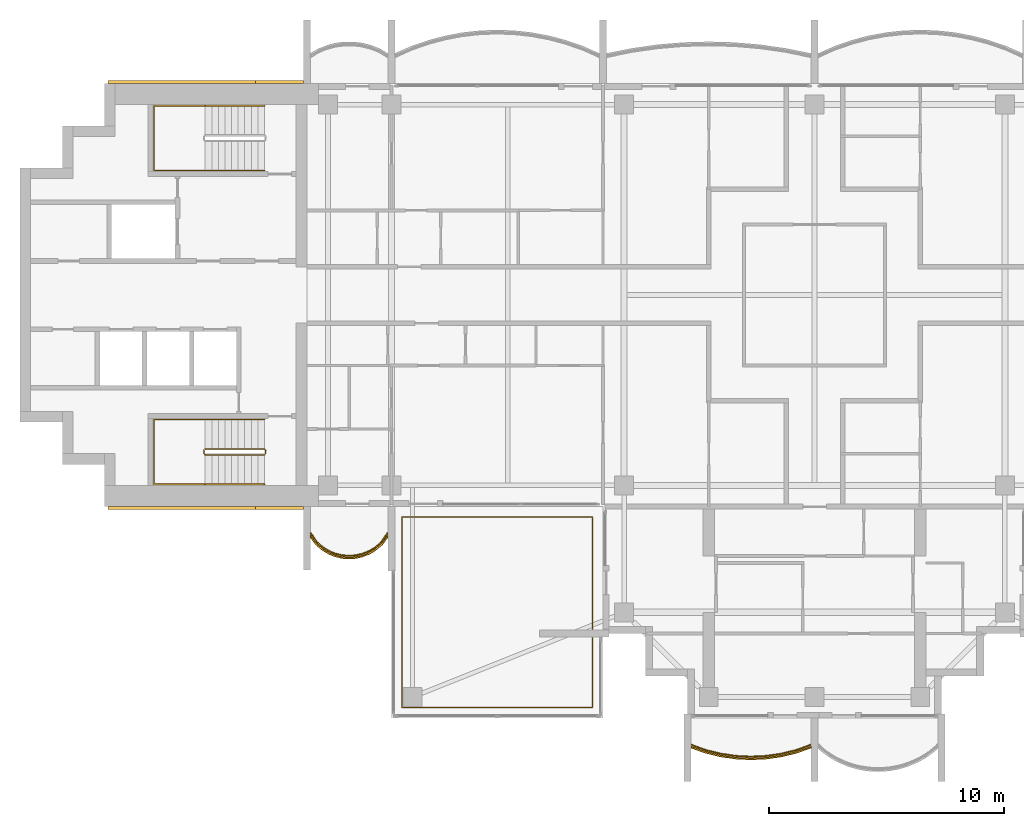
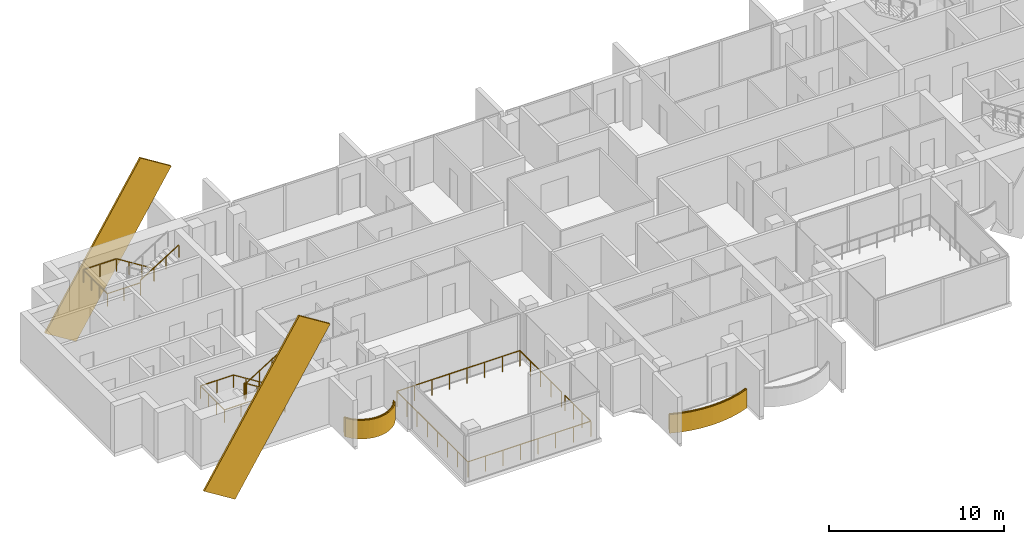
# One storey, part 13 of 16: 6 railings, 4 coverings.
"""IFC4 building model written with IfcOpenShell, lengths in metres."""

from ifc_helpers import new_model, si_unit, direction, frame, origin, origin_2d, place, context, subcontext, project, spatial, polyline, rectangle, outline, extrude, material, layer, layer_set, material_profile, profile_set, type_object, element, save


model = new_model("IFC4")

# Units and contexts
model_context = context("Model", 3, precision=1e-05, world=origin(), true_north=direction((0.0, 1.0)))
body_context = subcontext(model_context, "Body", "Model", "MODEL_VIEW")
ifc_project = project(units=[si_unit("LENGTHUNIT", "METRE"), si_unit("AREAUNIT", "SQUARE_METRE"), si_unit("VOLUMEUNIT", "CUBIC_METRE"), si_unit("PLANEANGLEUNIT", "RADIAN"), si_unit("MASSUNIT", "GRAM", prefix="KILO")], contexts=[model_context])

# Site, building, storey
site_placement = place(None, origin())
site = spatial("IfcSite", under=ifc_project, at=site_placement, CompositionType="ELEMENT")
building_placement = place(site_placement, origin())
building = spatial("IfcBuilding", under=site, at=building_placement, Name="Perihelion Cross Residences", CompositionType="ELEMENT")
storey_placement = place(building_placement, frame((0.0, 0.0, 271.0)))
storey = spatial("IfcBuildingStorey", under=building, at=storey_placement, Name="L69", CompositionType="ELEMENT", Elevation=271.0)

# Coverings
ifc_material_1 = material(Name="Bronze anodised aluminium", Category="aluminium")
ifc_layer = layer(ifc_material_1, 0.070068359375)
ifc_layer_set = layer_set([ifc_layer], Name="Balcony fascia 1300")
covering_type_1 = type_object("IfcCoveringType", Name="Balcony fascia 1300", PredefinedType="CLADDING", material=ifc_layer_set)
covering_1_placement = place(storey_placement, frame((0.0, 0.0, -0.199951171875)))
element("IfcCovering", 1, at=covering_1_placement, inside=storey, type_object=covering_type_1, Name="Fascia BF1 L69 west side south bay 1", PredefinedType="CLADDING", context=body_context, shape_type="SweptSolid", body=[
    extrude(outline(polyline([(-21.226318359375, -10.616455078125), (-20.94091796875, -10.86328125), (-20.655517578125, -11.031494140625), (-20.370361328125, -11.142578125), (-20.085205078125, -11.206298828125), (-19.800048828125, -11.22705078125), (-19.514892578125, -11.206298828125), (-19.229736328125, -11.142578125), (-18.9443359375, -11.031494140625), (-18.6591796875, -10.86328125), (-18.373779296875, -10.616455078125), (-18.14990234375, -10.31689453125), (-18.14990234375, -10.199951171875), (-18.425048828125, -10.568603515625), (-18.699951171875, -10.806396484375), (-18.97509765625, -10.96875), (-19.25, -11.07568359375), (-19.52490234375, -11.136962890625), (-19.800048828125, -11.156982421875), (-20.074951171875, -11.136962890625), (-20.35009765625, -11.07568359375), (-20.625, -10.96875), (-20.89990234375, -10.806396484375), (-21.175048828125, -10.568603515625), (-21.449951171875, -10.199951171875), (-21.449951171875, -10.31689453125), (-21.226318359375, -10.616455078125)])), origin(), (0.0, 0.0, 1.0), 1.300048828125),
])
covering_2_placement = place(storey_placement, frame((0.0, 0.0, -0.199951171875)))
element("IfcCovering", 2, at=covering_2_placement, inside=storey, type_object=covering_type_1, Name="Fascia BF1 L69 south tip south bay 1", PredefinedType="CLADDING", context=body_context, shape_type="SweptSolid", body=[
    extrude(outline(polyline([(-4.63232421875, -19.49072265625), (-3.98828125, -19.647216796875), (-3.34423828125, -19.739501953125), (-2.699951171875, -19.77001953125), (-2.055908203125, -19.739501953125), (-1.411865234375, -19.647216796875), (-0.767578125, -19.49072265625), (-0.14990234375, -19.274169921875), (-0.14990234375, -19.199951171875), (-0.78759765625, -19.423583984375), (-1.425048828125, -19.57861328125), (-2.0625, -19.669921875), (-2.699951171875, -19.699951171875), (-3.33740234375, -19.669921875), (-3.97509765625, -19.57861328125), (-4.612548828125, -19.423583984375), (-5.25, -19.199951171875), (-5.25, -19.274169921875), (-4.63232421875, -19.49072265625)])), origin(), (0.0, 0.0, 1.0), 1.300048828125),
])

# Railings
ifc_material_2 = material(Name="Bronze anodised aluminium", Category="aluminium")
railing_type_1 = type_object("IfcRailingType", Name="Balcony guard 1100", PredefinedType="GUARDRAIL", material=ifc_material_2)
railing_1_placement = place(storey_placement, frame((-21.425048828125, -10.139892578125, 0.0)))
element("IfcRailing", 3, at=railing_1_placement, inside=storey, type_object=railing_type_1, Name="Guard GU1 L69 west side south bay 1 balcony", PredefinedType="GUARDRAIL", context=body_context, shape_type="SweptSolid", body=[
    extrude(rectangle(XDim=0.048095703125, YDim=0.048095703125, at=origin_2d()), frame((0.0, 0.0, 1.076171875), z_axis=(0.561260132269, -0.827639452857, 0.0), x_axis=(0.827639452857, 0.561260132269, 0.0)), (0.0, 0.0, 1.0), 0.4453125),
    extrude(rectangle(XDim=0.048095703125, YDim=0.048095703125, at=origin_2d()), frame((0.25, -0.36865234375, 1.076171875), z_axis=(0.756596535164, -0.653882009982, 0.0), x_axis=(0.653882009982, 0.756596535164, 0.0)), (0.0, 0.0, 1.0), 0.36376953125),
    extrude(rectangle(XDim=0.048095703125, YDim=0.048095703125, at=origin_2d()), frame((0.525146484375, -0.6064453125, 1.076171875), z_axis=(0.861048292884, -0.508523192511, 0.0), x_axis=(0.508523192511, 0.861048292884, 0.0)), (0.0, 0.0, 1.0), 0.3193359375),
    extrude(rectangle(XDim=0.048095703125, YDim=0.048095703125, at=origin_2d()), frame((0.800048828125, -0.768798828125, 1.076171875), z_axis=(0.931973602183, -0.362526143656, 0.0), x_axis=(0.362526143656, 0.931973602183, 0.0)), (0.0, 0.0, 1.0), 0.294921875),
    extrude(rectangle(XDim=0.048095703125, YDim=0.048095703125, at=origin_2d()), frame((1.074951171875, -0.875732421875, 1.076171875), z_axis=(0.976085059389, -0.21738895289, 0.0), x_axis=(0.21738895289, 0.976085059389, 0.0)), (0.0, 0.0, 1.0), 0.281982421875),
    extrude(rectangle(XDim=0.048095703125, YDim=0.048095703125, at=origin_2d()), frame((1.35009765625, -0.93701171875, 1.076171875), z_axis=(0.997358821833, -0.072631814734, 0.0), x_axis=(0.072631814734, 0.997358821833, 0.0)), (0.0, 0.0, 1.0), 0.275634765625),
    extrude(rectangle(XDim=0.048095703125, YDim=0.048095703125, at=origin_2d()), frame((1.625, -0.95703125, 1.076171875), z_axis=(0.997363488337, 0.072567707226, 0.0), x_axis=(-0.072567707226, 0.997363488337, 0.0)), (0.0, 0.0, 1.0), 0.27587890625),
    extrude(rectangle(XDim=0.048095703125, YDim=0.048095703125, at=origin_2d()), frame((1.900146484375, -0.93701171875, 1.076171875), z_axis=(0.976044077717, 0.217572880557, 0.0), x_axis=(-0.217572880557, 0.976044077717, 0.0)), (0.0, 0.0, 1.0), 0.28173828125),
    extrude(rectangle(XDim=0.048095703125, YDim=0.048095703125, at=origin_2d()), frame((2.175048828125, -0.875732421875, 1.076171875), z_axis=(0.931973602183, 0.362526143656, 0.0), x_axis=(-0.362526143656, 0.931973602183, 0.0)), (0.0, 0.0, 1.0), 0.294921875),
    extrude(rectangle(XDim=0.048095703125, YDim=0.048095703125, at=origin_2d()), frame((2.449951171875, -0.768798828125, 1.076171875), z_axis=(0.861245845072, 0.508188542123, 0.0), x_axis=(-0.508188542123, 0.861245845072, 0.0)), (0.0, 0.0, 1.0), 0.319580078125),
    extrude(rectangle(XDim=0.048095703125, YDim=0.048095703125, at=origin_2d()), frame((2.72509765625, -0.6064453125, 1.076171875), z_axis=(0.756309278473, 0.654214242658, 0.0), x_axis=(-0.654214242658, 0.756309278473, 0.0)), (0.0, 0.0, 1.0), 0.363525390625),
    extrude(rectangle(XDim=0.048095703125, YDim=0.048095703125, at=origin_2d()), frame((3.0, -0.36865234375, 1.076171875), z_axis=(0.561260132269, 0.827639452857, 0.0), x_axis=(-0.827639452857, 0.561260132269, 0.0)), (0.0, 0.0, 1.0), 0.4453125),
    extrude(rectangle(XDim=0.0419921875, YDim=0.0419921875, at=origin_2d()), origin(), (0.0, 0.0, 1.0), 1.052001953125),
    extrude(rectangle(XDim=0.0419921875, YDim=0.0419921875, at=origin_2d()), frame((0.25, -0.36865234375, 0.0)), (0.0, 0.0, 1.0), 1.052001953125),
    extrude(rectangle(XDim=0.0419921875, YDim=0.0419921875, at=origin_2d()), frame((0.525146484375, -0.6064453125, 0.0)), (0.0, 0.0, 1.0), 1.052001953125),
    extrude(rectangle(XDim=0.0419921875, YDim=0.0419921875, at=origin_2d()), frame((0.800048828125, -0.768798828125, 0.0)), (0.0, 0.0, 1.0), 1.052001953125),
    extrude(rectangle(XDim=0.0419921875, YDim=0.0419921875, at=origin_2d()), frame((1.074951171875, -0.875732421875, 0.0)), (0.0, 0.0, 1.0), 1.052001953125),
    extrude(rectangle(XDim=0.0419921875, YDim=0.0419921875, at=origin_2d()), frame((1.35009765625, -0.93701171875, 0.0)), (0.0, 0.0, 1.0), 1.052001953125),
    extrude(rectangle(XDim=0.0419921875, YDim=0.0419921875, at=origin_2d()), frame((1.625, -0.95703125, 0.0)), (0.0, 0.0, 1.0), 1.052001953125),
    extrude(rectangle(XDim=0.0419921875, YDim=0.0419921875, at=origin_2d()), frame((1.900146484375, -0.93701171875, 0.0)), (0.0, 0.0, 1.0), 1.052001953125),
    extrude(rectangle(XDim=0.0419921875, YDim=0.0419921875, at=origin_2d()), frame((2.175048828125, -0.875732421875, 0.0)), (0.0, 0.0, 1.0), 1.052001953125),
    extrude(rectangle(XDim=0.0419921875, YDim=0.0419921875, at=origin_2d()), frame((2.449951171875, -0.768798828125, 0.0)), (0.0, 0.0, 1.0), 1.052001953125),
    extrude(rectangle(XDim=0.0419921875, YDim=0.0419921875, at=origin_2d()), frame((2.72509765625, -0.6064453125, 0.0)), (0.0, 0.0, 1.0), 1.052001953125),
    extrude(rectangle(XDim=0.0419921875, YDim=0.0419921875, at=origin_2d()), frame((3.0, -0.36865234375, 0.0)), (0.0, 0.0, 1.0), 1.052001953125),
    extrude(rectangle(XDim=0.0419921875, YDim=0.0419921875, at=origin_2d()), frame((3.25, 0.0, 0.0)), (0.0, 0.0, 1.0), 1.052001953125),
])
railing_2_placement = place(storey_placement, frame((-5.22509765625, -19.139892578125, 0.0)))
element("IfcRailing", 4, at=railing_2_placement, inside=storey, type_object=railing_type_1, Name="Guard GU1 L69 south tip south bay 1 balcony", PredefinedType="GUARDRAIL", context=body_context, shape_type="SweptSolid", body=[
    extrude(rectangle(XDim=0.048095703125, YDim=0.048095703125, at=origin_2d()), frame((0.0, 0.0, 1.076171875), z_axis=(0.939355405384, -0.342945217749, 0.0), x_axis=(0.342945217749, 0.939355405384, 0.0)), (0.0, 0.0, 1.0), 0.652099609375),
    extrude(rectangle(XDim=0.048095703125, YDim=0.048095703125, at=origin_2d()), frame((0.612548828125, -0.2236328125, 1.076171875), z_axis=(0.971676841941, -0.236313594268, 0.0), x_axis=(0.236313594268, 0.971676841941, 0.0)), (0.0, 0.0, 1.0), 0.656005859375),
    extrude(rectangle(XDim=0.048095703125, YDim=0.048095703125, at=origin_2d()), frame((1.25, -0.378662109375, 1.076171875), z_axis=(0.989903964498, -0.141739694763, 0.0), x_axis=(0.141739694763, 0.989903964498, 0.0)), (0.0, 0.0, 1.0), 0.644287109375),
    extrude(rectangle(XDim=0.048095703125, YDim=0.048095703125, at=origin_2d()), frame((1.8876953125, -0.469970703125, 1.076171875), z_axis=(0.998892243319, -0.04705620296, 0.0), x_axis=(0.04705620296, 0.998892243319, 0.0)), (0.0, 0.0, 1.0), 0.63818359375),
    extrude(rectangle(XDim=0.048095703125, YDim=0.048095703125, at=origin_2d()), frame((2.525146484375, -0.5, 1.076171875), z_axis=(0.998892243319, 0.04705620296, 0.0), x_axis=(-0.04705620296, 0.998892243319, 0.0)), (0.0, 0.0, 1.0), 0.63818359375),
    extrude(rectangle(XDim=0.048095703125, YDim=0.048095703125, at=origin_2d()), frame((3.16259765625, -0.469970703125, 1.076171875), z_axis=(0.989896346386, 0.141792889142, 0.0), x_axis=(-0.141792889142, 0.989896346386, 0.0)), (0.0, 0.0, 1.0), 0.64404296875),
    extrude(rectangle(XDim=0.048095703125, YDim=0.048095703125, at=origin_2d()), frame((3.800048828125, -0.378662109375, 1.076171875), z_axis=(0.971676841941, 0.236313594268, 0.0), x_axis=(-0.236313594268, 0.971676841941, 0.0)), (0.0, 0.0, 1.0), 0.656005859375),
    extrude(rectangle(XDim=0.048095703125, YDim=0.048095703125, at=origin_2d()), frame((4.4375, -0.2236328125, 1.076171875), z_axis=(0.939355405384, 0.342945217749, 0.0), x_axis=(-0.342945217749, 0.939355405384, 0.0)), (0.0, 0.0, 1.0), 0.652099609375),
    extrude(rectangle(XDim=0.0419921875, YDim=0.0419921875, at=origin_2d()), origin(), (0.0, 0.0, 1.0), 1.052001953125),
    extrude(rectangle(XDim=0.0419921875, YDim=0.0419921875, at=origin_2d()), frame((0.612548828125, -0.2236328125, 0.0)), (0.0, 0.0, 1.0), 1.052001953125),
    extrude(rectangle(XDim=0.0419921875, YDim=0.0419921875, at=origin_2d()), frame((1.25, -0.378662109375, 0.0)), (0.0, 0.0, 1.0), 1.052001953125),
    extrude(rectangle(XDim=0.0419921875, YDim=0.0419921875, at=origin_2d()), frame((1.8876953125, -0.469970703125, 0.0)), (0.0, 0.0, 1.0), 1.052001953125),
    extrude(rectangle(XDim=0.0419921875, YDim=0.0419921875, at=origin_2d()), frame((2.525146484375, -0.5, 0.0)), (0.0, 0.0, 1.0), 1.052001953125),
    extrude(rectangle(XDim=0.0419921875, YDim=0.0419921875, at=origin_2d()), frame((3.16259765625, -0.469970703125, 0.0)), (0.0, 0.0, 1.0), 1.052001953125),
    extrude(rectangle(XDim=0.0419921875, YDim=0.0419921875, at=origin_2d()), frame((3.800048828125, -0.378662109375, 0.0)), (0.0, 0.0, 1.0), 1.052001953125),
    extrude(rectangle(XDim=0.0419921875, YDim=0.0419921875, at=origin_2d()), frame((4.4375, -0.2236328125, 0.0)), (0.0, 0.0, 1.0), 1.052001953125),
    extrude(rectangle(XDim=0.0419921875, YDim=0.0419921875, at=origin_2d()), frame((5.050048828125, 0.0, 0.0)), (0.0, 0.0, 1.0), 1.052001953125),
])
railing_3_placement = place(storey_placement, frame((-9.449951171875, -14.590087890625, 0.0)))
element("IfcRailing", 5, at=railing_3_placement, inside=storey, type_object=railing_type_1, Name="Guard GU1 L69 pocket south-west 1", PredefinedType="GUARDRAIL", context=body_context, shape_type="SweptSolid", body=[
    extrude(rectangle(XDim=0.048095703125, YDim=0.048095703125, at=origin_2d()), frame((0.0, 0.0, 1.076171875), z_axis=(0.0, -1.0, 0.0), x_axis=(1.0, 0.0, 0.0)), (0.0, 0.0, 1.0), 2.9599609375),
    extrude(rectangle(XDim=0.048095703125, YDim=0.048095703125, at=origin_2d()), frame((0.0, -2.9599609375, 1.076171875), z_axis=(-1.0, 0.0, 0.0), x_axis=(0.0, -1.0, 0.0)), (0.0, 0.0, 1.0), 8.10009765625),
    extrude(rectangle(XDim=0.048095703125, YDim=0.048095703125, at=origin_2d()), frame((-8.10009765625, -2.9599609375, 1.076171875), z_axis=(0.0, 1.0, 0.0), x_axis=(-1.0, 0.0, 0.0)), (0.0, 0.0, 1.0), 8.10009765625),
    extrude(rectangle(XDim=0.048095703125, YDim=0.048095703125, at=origin_2d()), frame((-8.10009765625, 5.14013671875, 1.076171875), z_axis=(1.0, 0.0, 0.0), x_axis=(0.0, 1.0, 0.0)), (0.0, 0.0, 1.0), 8.10009765625),
    extrude(rectangle(XDim=0.048095703125, YDim=0.048095703125, at=origin_2d()), frame((0.0, 5.14013671875, 1.076171875), z_axis=(0.0, -1.0, 0.0), x_axis=(1.0, 0.0, 0.0)), (0.0, 0.0, 1.0), 4.760009765625),
    extrude(rectangle(XDim=0.0419921875, YDim=0.0419921875, at=origin_2d()), origin(), (0.0, 0.0, 1.0), 1.052001953125),
    extrude(rectangle(XDim=0.0419921875, YDim=0.0419921875, at=origin_2d()), frame((0.0, -0.986572265625, 0.0)), (0.0, 0.0, 1.0), 1.052001953125),
    extrude(rectangle(XDim=0.0419921875, YDim=0.0419921875, at=origin_2d()), frame((0.0, -1.973388671875, 0.0)), (0.0, 0.0, 1.0), 1.052001953125),
    extrude(rectangle(XDim=0.0419921875, YDim=0.0419921875, at=origin_2d()), frame((0.0, -2.9599609375, 0.0)), (0.0, 0.0, 1.0), 1.052001953125),
    extrude(rectangle(XDim=0.0419921875, YDim=0.0419921875, at=origin_2d()), frame((-1.1572265625, -2.9599609375, 0.0)), (0.0, 0.0, 1.0), 1.052001953125),
    extrude(rectangle(XDim=0.0419921875, YDim=0.0419921875, at=origin_2d()), frame((-2.314208984375, -2.9599609375, 0.0)), (0.0, 0.0, 1.0), 1.052001953125),
    extrude(rectangle(XDim=0.0419921875, YDim=0.0419921875, at=origin_2d()), frame((-3.471435546875, -2.9599609375, 0.0)), (0.0, 0.0, 1.0), 1.052001953125),
    extrude(rectangle(XDim=0.0419921875, YDim=0.0419921875, at=origin_2d()), frame((-4.628662109375, -2.9599609375, 0.0)), (0.0, 0.0, 1.0), 1.052001953125),
    extrude(rectangle(XDim=0.0419921875, YDim=0.0419921875, at=origin_2d()), frame((-5.785888671875, -2.9599609375, 0.0)), (0.0, 0.0, 1.0), 1.052001953125),
    extrude(rectangle(XDim=0.0419921875, YDim=0.0419921875, at=origin_2d()), frame((-6.94287109375, -2.9599609375, 0.0)), (0.0, 0.0, 1.0), 1.052001953125),
    extrude(rectangle(XDim=0.0419921875, YDim=0.0419921875, at=origin_2d()), frame((-8.10009765625, -2.9599609375, 0.0)), (0.0, 0.0, 1.0), 1.052001953125),
    extrude(rectangle(XDim=0.0419921875, YDim=0.0419921875, at=origin_2d()), frame((-8.10009765625, -1.802734375, 0.0)), (0.0, 0.0, 1.0), 1.052001953125),
    extrude(rectangle(XDim=0.0419921875, YDim=0.0419921875, at=origin_2d()), frame((-8.10009765625, -0.645751953125, 0.0)), (0.0, 0.0, 1.0), 1.052001953125),
    extrude(rectangle(XDim=0.0419921875, YDim=0.0419921875, at=origin_2d()), frame((-8.10009765625, 0.511474609375, 0.0)), (0.0, 0.0, 1.0), 1.052001953125),
    extrude(rectangle(XDim=0.0419921875, YDim=0.0419921875, at=origin_2d()), frame((-8.10009765625, 1.668701171875, 0.0)), (0.0, 0.0, 1.0), 1.052001953125),
    extrude(rectangle(XDim=0.0419921875, YDim=0.0419921875, at=origin_2d()), frame((-8.10009765625, 2.825927734375, 0.0)), (0.0, 0.0, 1.0), 1.052001953125),
    extrude(rectangle(XDim=0.0419921875, YDim=0.0419921875, at=origin_2d()), frame((-8.10009765625, 3.98291015625, 0.0)), (0.0, 0.0, 1.0), 1.052001953125),
    extrude(rectangle(XDim=0.0419921875, YDim=0.0419921875, at=origin_2d()), frame((-8.10009765625, 5.14013671875, 0.0)), (0.0, 0.0, 1.0), 1.052001953125),
    extrude(rectangle(XDim=0.0419921875, YDim=0.0419921875, at=origin_2d()), frame((-6.94287109375, 5.14013671875, 0.0)), (0.0, 0.0, 1.0), 1.052001953125),
    extrude(rectangle(XDim=0.0419921875, YDim=0.0419921875, at=origin_2d()), frame((-5.785888671875, 5.14013671875, 0.0)), (0.0, 0.0, 1.0), 1.052001953125),
    extrude(rectangle(XDim=0.0419921875, YDim=0.0419921875, at=origin_2d()), frame((-4.628662109375, 5.14013671875, 0.0)), (0.0, 0.0, 1.0), 1.052001953125),
    extrude(rectangle(XDim=0.0419921875, YDim=0.0419921875, at=origin_2d()), frame((-3.471435546875, 5.14013671875, 0.0)), (0.0, 0.0, 1.0), 1.052001953125),
    extrude(rectangle(XDim=0.0419921875, YDim=0.0419921875, at=origin_2d()), frame((-2.314208984375, 5.14013671875, 0.0)), (0.0, 0.0, 1.0), 1.052001953125),
    extrude(rectangle(XDim=0.0419921875, YDim=0.0419921875, at=origin_2d()), frame((-1.1572265625, 5.14013671875, 0.0)), (0.0, 0.0, 1.0), 1.052001953125),
    extrude(rectangle(XDim=0.0419921875, YDim=0.0419921875, at=origin_2d()), frame((0.0, 5.14013671875, 0.0)), (0.0, 0.0, 1.0), 1.052001953125),
    extrude(rectangle(XDim=0.0419921875, YDim=0.0419921875, at=origin_2d()), frame((0.0, 3.9501953125, 0.0)), (0.0, 0.0, 1.0), 1.052001953125),
    extrude(rectangle(XDim=0.0419921875, YDim=0.0419921875, at=origin_2d()), frame((0.0, 2.76025390625, 0.0)), (0.0, 0.0, 1.0), 1.052001953125),
    extrude(rectangle(XDim=0.0419921875, YDim=0.0419921875, at=origin_2d()), frame((0.0, 1.570068359375, 0.0)), (0.0, 0.0, 1.0), 1.052001953125),
    extrude(rectangle(XDim=0.0419921875, YDim=0.0419921875, at=origin_2d()), frame((0.0, 0.380126953125, 0.0)), (0.0, 0.0, 1.0), 1.052001953125),
])

# Coverings
ifc_material_3 = material(Name="Bronze anodised aluminium", Category="aluminium")
ifc_material_profile = material_profile(ifc_material_3, rectangle(XDim=0.125, YDim=2.39990234375, at=origin_2d()), Name="Bronze cladding band 2400")
ifc_profile_set = profile_set([ifc_material_profile], Name="Bronze anodised aluminium")
covering_type_2 = type_object("IfcCoveringType", Name="Bronze cladding band 2400", PredefinedType="CLADDING", material=ifc_profile_set)
for number, where, z_axis, x_axis, name in (
    (6, (-29.0322265625, 9.0625, -2.345458984375), (0.529915403603, 0.0, 0.848050508534), (0.0, 1.0, 0.0), "Core cladding band, west core"),
    (7, (-29.0322265625, -9.0625, -2.345458984375), (0.529915403603, 0.0, 0.848050508534), (0.0, 1.0, 0.0), "Core cladding band, west core"),
):
    element("IfcCovering", number, at=place(storey_placement, frame(where, z_axis=z_axis, x_axis=x_axis)), inside=storey, type_object=covering_type_2, Name=name, PredefinedType="CLADDING", context=body_context, shape_type="SweptSolid", body=[
        extrude(rectangle(XDim=0.125, YDim=2.39990234375, at=origin_2d()), origin(), (0.0, 0.0, 1.0), 11.822021484375),
    ])

# Railings
ifc_material_4 = material(Name="Stainless steel", Category="steel")
railing_type_2 = type_object("IfcRailingType", Name="Stair guard 1100", PredefinedType="GUARDRAIL", material=ifc_material_4)
railing_4_placement = place(storey_placement, frame((-23.35009765625, -6.75, 0.0)))
element("IfcRailing", 8, at=railing_4_placement, inside=storey, type_object=railing_type_2, Name="L69 ST-W2 stair guard 1", PredefinedType="GUARDRAIL", context=body_context, shape_type="SweptSolid", body=[
    extrude(rectangle(XDim=0.048095703125, YDim=0.048095703125, at=origin_2d()), frame((0.0, 0.0, 1.076171875), z_axis=(0.0, 1.0, 0.0), x_axis=(-1.0, 0.0, 0.0)), (0.0, 0.0, 1.0), 0.14990234375),
    extrude(rectangle(XDim=0.048095703125, YDim=0.048095703125, at=origin_2d()), frame((0.0, 0.14990234375, 1.076171875), z_axis=(-0.263862480399, 0.265155923931, 0.927399011991), x_axis=(-0.708833529934, -0.705375805398, 0.0)), (0.0, 0.0, 1.0), 0.188720703125),
    extrude(rectangle(XDim=0.048095703125, YDim=0.048095703125, at=origin_2d()), frame((-0.0498046875, 0.199951171875, 1.2509765625), z_axis=(-0.848007534815, 0.0, 0.529984170421), x_axis=(0.0, -1.0, 0.0)), (0.0, 0.0, 1.0), 2.9716796875),
    extrude(rectangle(XDim=0.048095703125, YDim=0.048095703125, at=origin_2d()), frame((-2.56982421875, 0.199951171875, 2.826171875), z_axis=(-0.707106781187, -0.707106781187, 0.0), x_axis=(0.707106781187, -0.707106781187, 0.0)), (0.0, 0.0, 1.0), 0.07080078125),
    extrude(rectangle(XDim=0.048095703125, YDim=0.048095703125, at=origin_2d()), frame((-2.619873046875, 0.14990234375, 2.826171875), z_axis=(0.0, -1.0, 0.0), x_axis=(1.0, 0.0, 0.0)), (0.0, 0.0, 1.0), 0.14990234375),
    extrude(rectangle(XDim=0.048095703125, YDim=0.048095703125, at=origin_2d()), frame((-2.619873046875, 0.0, 2.826171875), z_axis=(0.265065253269, -0.265065253269, 0.927081885822), x_axis=(0.707106781187, 0.707106781187, 0.0)), (0.0, 0.0, 1.0), 0.188720703125),
    extrude(rectangle(XDim=0.048095703125, YDim=0.048095703125, at=origin_2d()), frame((-2.56982421875, -0.050048828125, 3.0009765625), z_axis=(0.848007534815, 0.0, 0.529984170421), x_axis=(0.0, 1.0, 0.0)), (0.0, 0.0, 1.0), 2.9716796875),
    extrude(rectangle(XDim=0.0419921875, YDim=0.0419921875, at=origin_2d()), origin(), (0.0, 0.0, 1.0), 1.052001953125),
    extrude(rectangle(XDim=0.0419921875, YDim=0.0419921875, at=origin_2d()), frame((0.0, 0.14990234375, 0.0)), (0.0, 0.0, 1.0), 1.052001953125),
    extrude(rectangle(XDim=0.0419921875, YDim=0.0419921875, at=origin_2d()), frame((-0.0498046875, 0.199951171875, 0.175048828125)), (0.0, 0.0, 1.0), 1.052001953125),
    extrude(rectangle(XDim=0.0419921875, YDim=0.0419921875, at=origin_2d()), frame((-0.889892578125, 0.199951171875, 0.699951171875)), (0.0, 0.0, 1.0), 1.052001953125),
    extrude(rectangle(XDim=0.0419921875, YDim=0.0419921875, at=origin_2d()), frame((-1.729736328125, 0.199951171875, 1.22509765625)), (0.0, 0.0, 1.0), 1.052001953125),
    extrude(rectangle(XDim=0.0419921875, YDim=0.0419921875, at=origin_2d()), frame((-2.56982421875, 0.199951171875, 1.75)), (0.0, 0.0, 1.0), 1.052001953125),
    extrude(rectangle(XDim=0.0419921875, YDim=0.0419921875, at=origin_2d()), frame((-2.619873046875, 0.14990234375, 1.75)), (0.0, 0.0, 1.0), 1.052001953125),
    extrude(rectangle(XDim=0.0419921875, YDim=0.0419921875, at=origin_2d()), frame((-2.619873046875, 0.0, 1.75)), (0.0, 0.0, 1.0), 1.052001953125),
    extrude(rectangle(XDim=0.0419921875, YDim=0.0419921875, at=origin_2d()), frame((-2.56982421875, -0.050048828125, 1.925048828125)), (0.0, 0.0, 1.0), 1.052001953125),
    extrude(rectangle(XDim=0.0419921875, YDim=0.0419921875, at=origin_2d()), frame((-1.729736328125, -0.050048828125, 2.449951171875)), (0.0, 0.0, 1.0), 1.052001953125),
    extrude(rectangle(XDim=0.0419921875, YDim=0.0419921875, at=origin_2d()), frame((-0.889892578125, -0.050048828125, 2.97509765625)), (0.0, 0.0, 1.0), 1.052001953125),
    extrude(rectangle(XDim=0.0419921875, YDim=0.0419921875, at=origin_2d()), frame((-0.0498046875, -0.050048828125, 3.5)), (0.0, 0.0, 1.0), 1.052001953125),
])
ifc_material_5 = material(Name="Stainless steel", Category="steel")
railing_type_3 = type_object("IfcRailingType", Name="Stair handrail 900", PredefinedType="HANDRAIL", material=ifc_material_5)
railing_5_placement = place(storey_placement, frame((-23.39990234375, 8.050048828125, 0.175048828125)))
element("IfcRailing", 9, at=railing_5_placement, inside=storey, type_object=railing_type_3, Name="L69 ST-W1 stair handrail 1", PredefinedType="HANDRAIL", context=body_context, shape_type="SweptSolid", body=[
    extrude(rectangle(XDim=0.048095703125, YDim=0.048095703125, at=origin_2d()), frame((0.0, 0.0, 0.8759765625), z_axis=(-0.848007534815, 0.0, 0.529984170421), x_axis=(0.0, -1.0, 0.0)), (0.0, 0.0, 1.0), 2.9716796875),
    extrude(rectangle(XDim=0.048095703125, YDim=0.048095703125, at=origin_2d()), frame((-2.52001953125, 0.0, 2.45068359375), z_axis=(-1.0, 0.0, 0.0), x_axis=(0.0, -1.0, 0.0)), (0.0, 0.0, 1.0), 2.18017578125),
    extrude(rectangle(XDim=0.048095703125, YDim=0.048095703125, at=origin_2d()), frame((-4.7001953125, 0.0, 2.45068359375), z_axis=(0.0, -1.0, 0.0), x_axis=(1.0, 0.0, 0.0)), (0.0, 0.0, 1.0), 2.75),
    extrude(rectangle(XDim=0.048095703125, YDim=0.048095703125, at=origin_2d()), frame((-4.7001953125, -2.75, 2.45068359375), z_axis=(1.0, 0.0, 0.0), x_axis=(0.0, 1.0, 0.0)), (0.0, 0.0, 1.0), 2.18017578125),
    extrude(rectangle(XDim=0.048095703125, YDim=0.048095703125, at=origin_2d()), frame((-2.52001953125, -2.75, 2.45068359375), z_axis=(0.0, 0.0, 1.0), x_axis=(1.0, 0.0, 0.0)), (0.0, 0.0, 1.0), 0.175048828125),
    extrude(rectangle(XDim=0.048095703125, YDim=0.048095703125, at=origin_2d()), frame((-2.52001953125, -2.75, 2.6259765625), z_axis=(0.848007534815, 0.0, 0.529984170421), x_axis=(0.0, 1.0, 0.0)), (0.0, 0.0, 1.0), 2.9716796875),
    extrude(rectangle(XDim=0.0419921875, YDim=0.0419921875, at=origin_2d()), origin(), (0.0, 0.0, 1.0), 0.851806640625),
    extrude(rectangle(XDim=0.0419921875, YDim=0.0419921875, at=origin_2d()), frame((-0.840087890625, 0.0, 0.52490234375)), (0.0, 0.0, 1.0), 0.851806640625),
    extrude(rectangle(XDim=0.0419921875, YDim=0.0419921875, at=origin_2d()), frame((-1.679931640625, 0.0, 1.050048828125)), (0.0, 0.0, 1.0), 0.851806640625),
    extrude(rectangle(XDim=0.0419921875, YDim=0.0419921875, at=origin_2d()), frame((-2.52001953125, 0.0, 1.574951171875)), (0.0, 0.0, 1.0), 0.851806640625),
    extrude(rectangle(XDim=0.0419921875, YDim=0.0419921875, at=origin_2d()), frame((-3.610107421875, 0.0, 1.574951171875)), (0.0, 0.0, 1.0), 0.851806640625),
    extrude(rectangle(XDim=0.0419921875, YDim=0.0419921875, at=origin_2d()), frame((-4.7001953125, 0.0, 1.574951171875)), (0.0, 0.0, 1.0), 0.851806640625),
    extrude(rectangle(XDim=0.0419921875, YDim=0.0419921875, at=origin_2d()), frame((-4.7001953125, -0.916748046875, 1.574951171875)), (0.0, 0.0, 1.0), 0.851806640625),
    extrude(rectangle(XDim=0.0419921875, YDim=0.0419921875, at=origin_2d()), frame((-4.7001953125, -1.833251953125, 1.574951171875)), (0.0, 0.0, 1.0), 0.851806640625),
    extrude(rectangle(XDim=0.0419921875, YDim=0.0419921875, at=origin_2d()), frame((-4.7001953125, -2.75, 1.574951171875)), (0.0, 0.0, 1.0), 0.851806640625),
    extrude(rectangle(XDim=0.0419921875, YDim=0.0419921875, at=origin_2d()), frame((-3.610107421875, -2.75, 1.574951171875)), (0.0, 0.0, 1.0), 0.851806640625),
    extrude(rectangle(XDim=0.0419921875, YDim=0.0419921875, at=origin_2d()), frame((-2.52001953125, -2.75, 1.574951171875)), (0.0, 0.0, 1.0), 0.851806640625),
    extrude(rectangle(XDim=0.0419921875, YDim=0.0419921875, at=origin_2d()), frame((-2.52001953125, -2.75, 1.75)), (0.0, 0.0, 1.0), 0.851806640625),
    extrude(rectangle(XDim=0.0419921875, YDim=0.0419921875, at=origin_2d()), frame((-1.679931640625, -2.75, 2.27490234375)), (0.0, 0.0, 1.0), 0.851806640625),
    extrude(rectangle(XDim=0.0419921875, YDim=0.0419921875, at=origin_2d()), frame((-0.840087890625, -2.75, 2.800048828125)), (0.0, 0.0, 1.0), 0.851806640625),
    extrude(rectangle(XDim=0.0419921875, YDim=0.0419921875, at=origin_2d()), frame((0.0, -2.75, 3.324951171875)), (0.0, 0.0, 1.0), 0.851806640625),
])
railing_6_placement = place(storey_placement, frame((-23.39990234375, -5.300048828125, 0.175048828125)))
element("IfcRailing", 10, at=railing_6_placement, inside=storey, type_object=railing_type_3, Name="L69 ST-W2 stair handrail 1", PredefinedType="HANDRAIL", context=body_context, shape_type="SweptSolid", body=[
    extrude(rectangle(XDim=0.048095703125, YDim=0.048095703125, at=origin_2d()), frame((0.0, 0.0, 0.8759765625), z_axis=(-0.848007534815, 0.0, 0.529984170421), x_axis=(0.0, -1.0, 0.0)), (0.0, 0.0, 1.0), 2.9716796875),
    extrude(rectangle(XDim=0.048095703125, YDim=0.048095703125, at=origin_2d()), frame((-2.52001953125, 0.0, 2.45068359375), z_axis=(-1.0, 0.0, 0.0), x_axis=(0.0, -1.0, 0.0)), (0.0, 0.0, 1.0), 2.18017578125),
    extrude(rectangle(XDim=0.048095703125, YDim=0.048095703125, at=origin_2d()), frame((-4.7001953125, 0.0, 2.45068359375), z_axis=(0.0, -1.0, 0.0), x_axis=(1.0, 0.0, 0.0)), (0.0, 0.0, 1.0), 2.75),
    extrude(rectangle(XDim=0.048095703125, YDim=0.048095703125, at=origin_2d()), frame((-4.7001953125, -2.75, 2.45068359375), z_axis=(1.0, 0.0, 0.0), x_axis=(0.0, 1.0, 0.0)), (0.0, 0.0, 1.0), 2.18017578125),
    extrude(rectangle(XDim=0.048095703125, YDim=0.048095703125, at=origin_2d()), frame((-2.52001953125, -2.75, 2.45068359375), z_axis=(0.0, 0.0, 1.0), x_axis=(1.0, 0.0, 0.0)), (0.0, 0.0, 1.0), 0.175048828125),
    extrude(rectangle(XDim=0.048095703125, YDim=0.048095703125, at=origin_2d()), frame((-2.52001953125, -2.75, 2.6259765625), z_axis=(0.848007534815, 0.0, 0.529984170421), x_axis=(0.0, 1.0, 0.0)), (0.0, 0.0, 1.0), 2.9716796875),
    extrude(rectangle(XDim=0.0419921875, YDim=0.0419921875, at=origin_2d()), origin(), (0.0, 0.0, 1.0), 0.851806640625),
    extrude(rectangle(XDim=0.0419921875, YDim=0.0419921875, at=origin_2d()), frame((-0.840087890625, 0.0, 0.52490234375)), (0.0, 0.0, 1.0), 0.851806640625),
    extrude(rectangle(XDim=0.0419921875, YDim=0.0419921875, at=origin_2d()), frame((-1.679931640625, 0.0, 1.050048828125)), (0.0, 0.0, 1.0), 0.851806640625),
    extrude(rectangle(XDim=0.0419921875, YDim=0.0419921875, at=origin_2d()), frame((-2.52001953125, 0.0, 1.574951171875)), (0.0, 0.0, 1.0), 0.851806640625),
    extrude(rectangle(XDim=0.0419921875, YDim=0.0419921875, at=origin_2d()), frame((-3.610107421875, 0.0, 1.574951171875)), (0.0, 0.0, 1.0), 0.851806640625),
    extrude(rectangle(XDim=0.0419921875, YDim=0.0419921875, at=origin_2d()), frame((-4.7001953125, 0.0, 1.574951171875)), (0.0, 0.0, 1.0), 0.851806640625),
    extrude(rectangle(XDim=0.0419921875, YDim=0.0419921875, at=origin_2d()), frame((-4.7001953125, -0.916748046875, 1.574951171875)), (0.0, 0.0, 1.0), 0.851806640625),
    extrude(rectangle(XDim=0.0419921875, YDim=0.0419921875, at=origin_2d()), frame((-4.7001953125, -1.833251953125, 1.574951171875)), (0.0, 0.0, 1.0), 0.851806640625),
    extrude(rectangle(XDim=0.0419921875, YDim=0.0419921875, at=origin_2d()), frame((-4.7001953125, -2.75, 1.574951171875)), (0.0, 0.0, 1.0), 0.851806640625),
    extrude(rectangle(XDim=0.0419921875, YDim=0.0419921875, at=origin_2d()), frame((-3.610107421875, -2.75, 1.574951171875)), (0.0, 0.0, 1.0), 0.851806640625),
    extrude(rectangle(XDim=0.0419921875, YDim=0.0419921875, at=origin_2d()), frame((-2.52001953125, -2.75, 1.574951171875)), (0.0, 0.0, 1.0), 0.851806640625),
    extrude(rectangle(XDim=0.0419921875, YDim=0.0419921875, at=origin_2d()), frame((-2.52001953125, -2.75, 1.75)), (0.0, 0.0, 1.0), 0.851806640625),
    extrude(rectangle(XDim=0.0419921875, YDim=0.0419921875, at=origin_2d()), frame((-1.679931640625, -2.75, 2.27490234375)), (0.0, 0.0, 1.0), 0.851806640625),
    extrude(rectangle(XDim=0.0419921875, YDim=0.0419921875, at=origin_2d()), frame((-0.840087890625, -2.75, 2.800048828125)), (0.0, 0.0, 1.0), 0.851806640625),
    extrude(rectangle(XDim=0.0419921875, YDim=0.0419921875, at=origin_2d()), frame((0.0, -2.75, 3.324951171875)), (0.0, 0.0, 1.0), 0.851806640625),
])

save(model, "model.ifc")
